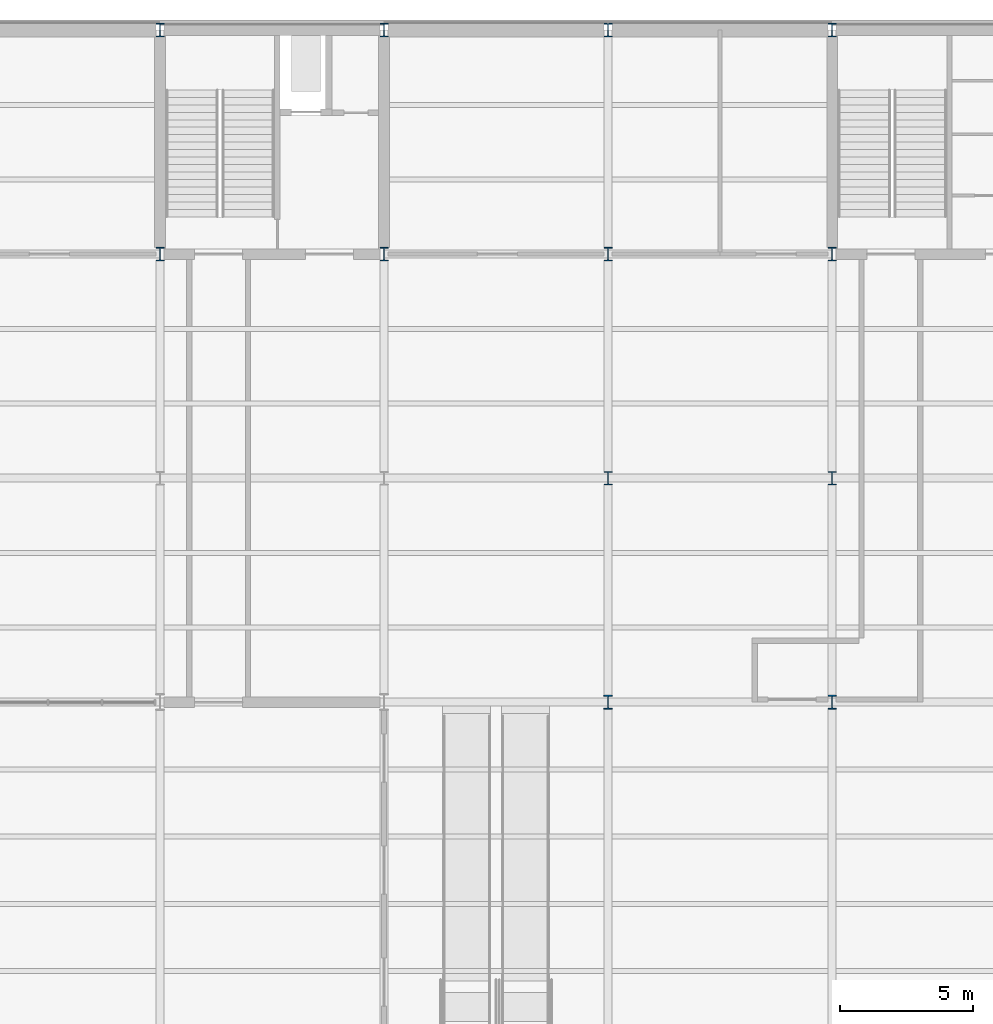
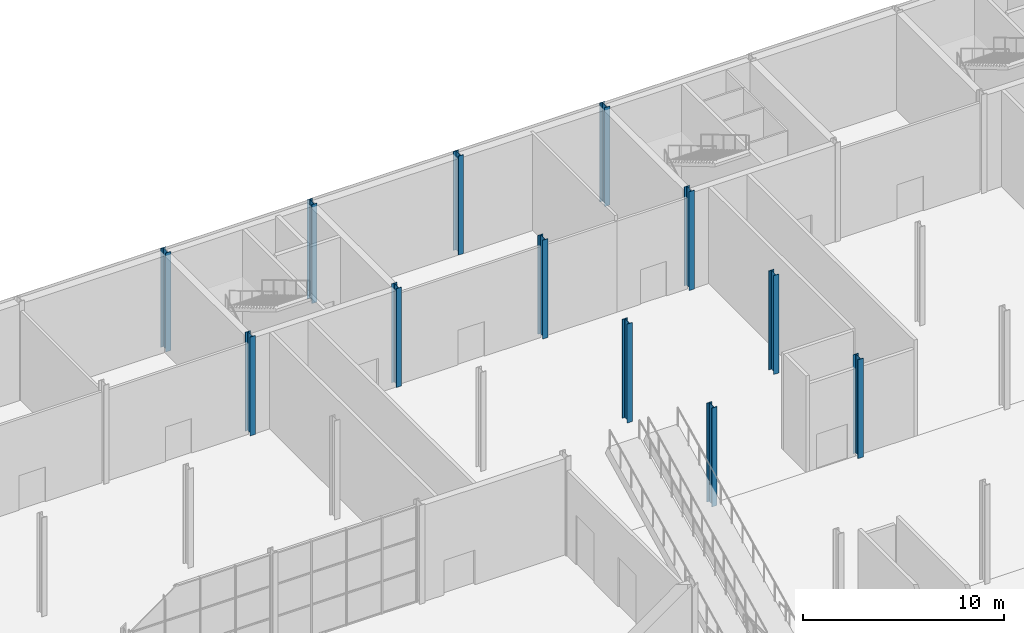
# One storey, part 4 of 55: 12 columns.
"""IFC4 building model written with IfcOpenShell, lengths in metres."""

from ifc_helpers import new_model, si_unit, direction, frame, origin, origin_2d, place, context, subcontext, project, spatial, i_section, extrude, material, material_profile, profile_set, type_object, element, save


model = new_model("IFC4")

# Units and contexts
model_context = context("Model", 3, precision=1e-05, world=origin(), true_north=direction((0.0, 1.0)))
body_context = subcontext(model_context, "Body", "Model", "MODEL_VIEW")
ifc_project = project(units=[si_unit("LENGTHUNIT", "METRE"), si_unit("AREAUNIT", "SQUARE_METRE"), si_unit("VOLUMEUNIT", "CUBIC_METRE"), si_unit("PLANEANGLEUNIT", "RADIAN"), si_unit("MASSUNIT", "GRAM", prefix="KILO")], contexts=[model_context])

# Site, building, storey
site_placement = place(None, origin())
site = spatial("IfcSite", under=ifc_project, at=site_placement, CompositionType="ELEMENT")
building_placement = place(site_placement, origin())
building = spatial("IfcBuilding", under=site, at=building_placement, Name="Galleria Vessillo Department Store", CompositionType="ELEMENT")
storey_placement = place(building_placement, origin())
storey = spatial("IfcBuildingStorey", under=building, at=storey_placement, Name="L00", CompositionType="ELEMENT", Elevation=0.0)

# Columns
ifc_material_1 = material(Name="Steel S355 J2", Category="steel")
ifc_material_profile_1 = material_profile(ifc_material_1, i_section(OverallWidth=0.300048828125, OverallDepth=0.5, WebThickness=0.014404296875, FlangeThickness=0.028076171875, FilletRadius=0.027099609375, at=origin_2d()), Name="HEB 500")
ifc_profile_set_1 = profile_set([ifc_material_profile_1], Name="Steel S355 J2")
column_type_1 = type_object("IfcColumnType", Name="Steel column HEB 500 CP1", PredefinedType="COLUMN", material=ifc_profile_set_1)
for number, where, z_axis, x_axis, name in (
    (1, (33.60009765625, 54.60009765625, 0.0), (0.0, 0.0, 1.0), (1.0, 0.0, 0.0), "S-COL-L00-5-G"),
    (2, (33.60009765625, 63.0, 0.0), (0.0, 0.0, 1.0), (1.0, 0.0, 0.0), "S-COL-L00-5-H"),
    (3, (42.0, 54.60009765625, 0.0), (0.0, 0.0, 1.0), (1.0, 0.0, 0.0), "S-COL-L00-6-G"),
    (4, (42.0, 63.0, 0.0), (0.0, 0.0, 1.0), (1.0, 0.0, 0.0), "S-COL-L00-6-H"),
    (5, (50.39990234375, 46.199951171875, 0.0), (0.0, 0.0, 1.0), (1.0, 0.0, 0.0), "S-COL-L00-7-F"),
    (6, (50.39990234375, 54.60009765625, 0.0), (0.0, 0.0, 1.0), (1.0, 0.0, 0.0), "S-COL-L00-7-G"),
    (7, (50.39990234375, 63.0, 0.0), (0.0, 0.0, 1.0), (1.0, 0.0, 0.0), "S-COL-L00-7-H"),
    (8, (58.800048828125, 46.199951171875, 0.0), (0.0, 0.0, 1.0), (1.0, 0.0, 0.0), "S-COL-L00-8-F"),
    (9, (58.800048828125, 54.60009765625, 0.0), (0.0, 0.0, 1.0), (1.0, 0.0, 0.0), "S-COL-L00-8-G"),
    (10, (58.800048828125, 63.0, 0.0), (0.0, 0.0, 1.0), (1.0, 0.0, 0.0), "S-COL-L00-8-H"),
):
    element("IfcColumn", number, at=place(storey_placement, frame(where, z_axis=z_axis, x_axis=x_axis)), inside=storey, type_object=column_type_1, Name=name, PredefinedType="COLUMN", context=body_context, shape_type="SweptSolid", body=[
        extrude(i_section(OverallWidth=0.300048828125, OverallDepth=0.5, WebThickness=0.014404296875, FlangeThickness=0.028076171875, FilletRadius=0.027099609375, at=origin_2d()), origin(), (0.0, 0.0, 1.0), 6.0),
    ])
ifc_material_2 = material(Name="Steel S355 J2", Category="steel")
ifc_material_profile_2 = material_profile(ifc_material_2, i_section(OverallWidth=0.305908203125, OverallDepth=0.52392578125, WebThickness=0.02099609375, FlangeThickness=0.0400390625, FilletRadius=0.027099609375, at=origin_2d()), Name="HEM 500")
ifc_profile_set_2 = profile_set([ifc_material_profile_2], Name="Steel S355 J2")
column_type_2 = type_object("IfcColumnType", Name="Steel column HEM 500 CV1", PredefinedType="COLUMN", material=ifc_profile_set_2)
for number, where, z_axis, x_axis, name in (
    (11, (50.39990234375, 37.800048828125, 0.0), (0.0, 0.0, 1.0), (1.0, 0.0, 0.0), "S-COL-L00-7-E"),
    (12, (58.800048828125, 37.800048828125, 0.0), (0.0, 0.0, 1.0), (1.0, 0.0, 0.0), "S-COL-L00-8-E"),
):
    element("IfcColumn", number, at=place(storey_placement, frame(where, z_axis=z_axis, x_axis=x_axis)), inside=storey, type_object=column_type_2, Name=name, PredefinedType="COLUMN", context=body_context, shape_type="SweptSolid", body=[
        extrude(i_section(OverallWidth=0.305908203125, OverallDepth=0.52392578125, WebThickness=0.02099609375, FlangeThickness=0.0400390625, FilletRadius=0.027099609375, at=origin_2d()), origin(), (0.0, 0.0, 1.0), 6.0),
    ])

save(model, "model.ifc")
